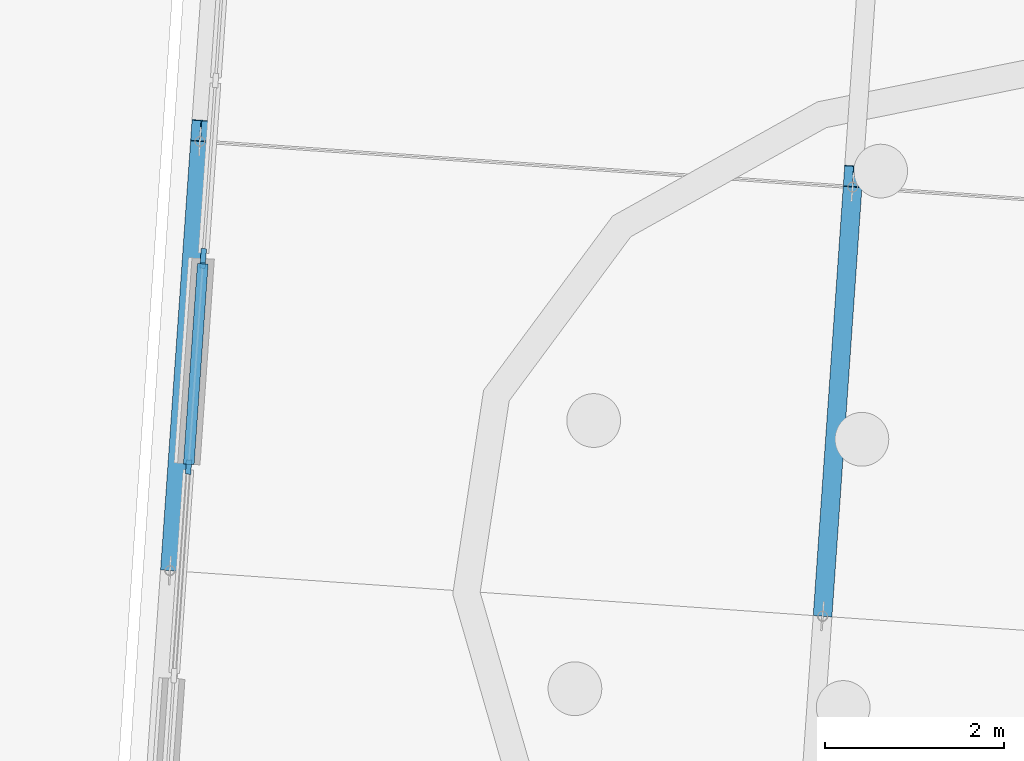
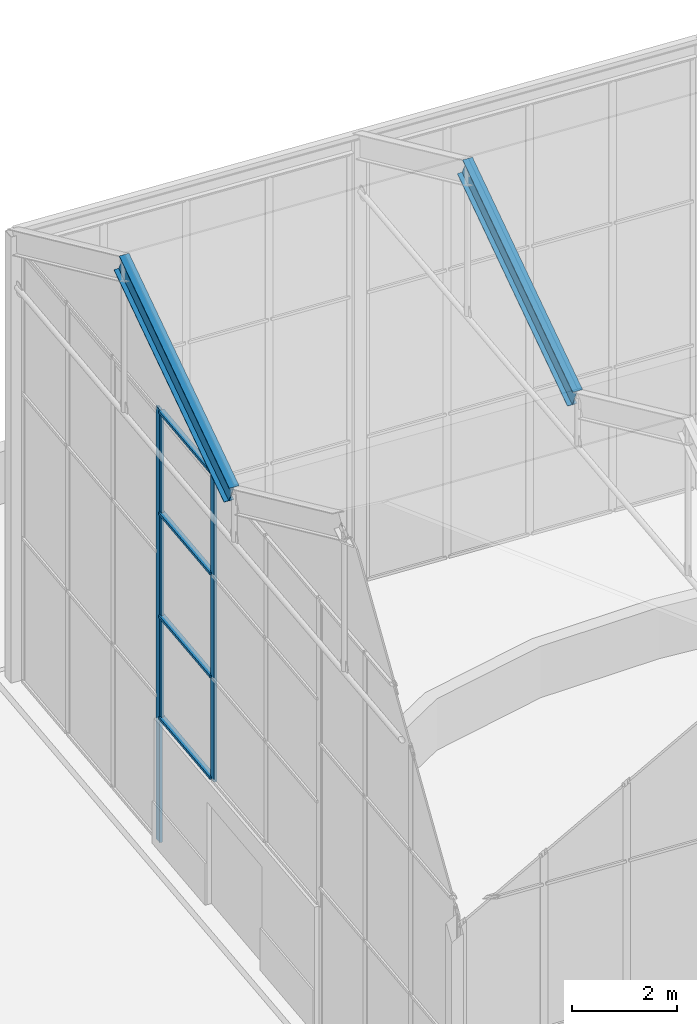
# One storey, part 57 of 157: 9 members, 2 elements without a shape of their own.
"""IFC4 building model written with IfcOpenShell, lengths in metres."""

from ifc_helpers import new_model, si_unit, direction, frame, origin, origin_2d, place, context, subcontext, project, spatial, rectangle, i_section, extrude, material, material_profile, profile_set, type_object, element, aggregate, save


model = new_model("IFC4")

# Units and contexts
model_context = context("Model", 3, precision=1e-05, world=origin(), true_north=direction((0.0, 1.0)))
body_context = subcontext(model_context, "Body", "Model", "MODEL_VIEW")
ifc_project = project(units=[si_unit("LENGTHUNIT", "METRE"), si_unit("AREAUNIT", "SQUARE_METRE"), si_unit("VOLUMEUNIT", "CUBIC_METRE"), si_unit("PLANEANGLEUNIT", "RADIAN"), si_unit("MASSUNIT", "GRAM", prefix="KILO")], contexts=[model_context])

# Site, building, storey
site_placement = place(None, origin())
site = spatial("IfcSite", under=ifc_project, at=site_placement, CompositionType="ELEMENT")
building_placement = place(site_placement, origin())
building = spatial("IfcBuilding", under=site, at=building_placement, Name="Windward Yard Aquatics Centre", CompositionType="ELEMENT")
storey_placement = place(building_placement, origin())
storey = spatial("IfcBuildingStorey", under=building, at=storey_placement, Name="L00", CompositionType="ELEMENT", Elevation=0.0)

# Curtain wall, member
ifc_material_1 = material(Name="Aluminium curtain wall system", Category="aluminium")
curtain_wall_type = type_object("IfcCurtainWallType", Name="W curtain wall 1900", PredefinedType="NOTDEFINED", material=ifc_material_1)
curtain_wall_1_placement = place(storey_placement, origin())
curtain_wall_1 = element("IfcCurtainWall", 1, at=curtain_wall_1_placement, inside=storey, type_object=curtain_wall_type, Name="Wing west glazing L00 2", PredefinedType="NOTDEFINED")
ifc_material_2 = material(Name="Aluminium mullion", Category="aluminium")
ifc_material_profile_1 = material_profile(ifc_material_2, rectangle(XDim=0.06005859375, YDim=0.159912109375, at=origin_2d()), Name="AL 60x160")
ifc_profile_set_1 = profile_set([ifc_material_profile_1], Name="Aluminium mullion")
member_type_1 = type_object("IfcMemberType", Name="W CW mullion 60x160", PredefinedType="MULLION", material=ifc_profile_set_1)
member_1_placement = place(storey_placement, frame((72.893798828125, 132.472412109375, 0.0), z_axis=(0.0, 0.0, 1.0), x_axis=(-0.997564736506, 0.069746659268, 0.0)))
member_1 = element("IfcMember", 2, at=member_1_placement, type_object=member_type_1, Name="WCW1 mullion 1", PredefinedType="MULLION", context=body_context, shape_type="SweptSolid", body=[
    extrude(rectangle(XDim=0.06005859375, YDim=0.159912109375, at=origin_2d()), origin(), (0.0, 0.0, 1.0), 10.097900390625),
])
aggregate(curtain_wall_1, [member_1])

# Curtain wall, members
curtain_wall_2_placement = place(storey_placement, origin())
curtain_wall_2 = element("IfcCurtainWall", 3, at=curtain_wall_2_placement, inside=storey, type_object=curtain_wall_type, Name="Wing west glazing L00 3", PredefinedType="NOTDEFINED")
member_2_placement = place(storey_placement, frame((72.72900390625, 130.11474609375, 2.89990234375), z_axis=(0.0, 0.0, 1.0), x_axis=(-0.997563970086, 0.069757620279, 0.0)))
member_2 = element("IfcMember", 4, at=member_2_placement, type_object=member_type_1, Name="WCW1 mullion 3", PredefinedType="MULLION", context=body_context, shape_type="SweptSolid", body=[
    extrude(rectangle(XDim=0.06005859375, YDim=0.159912109375, at=origin_2d()), origin(), (0.0, 0.0, 1.0), 7.197998046875),
])
member_3_placement = place(storey_placement, frame((72.8896484375, 132.41259765625, 2.89990234375), z_axis=(0.0, 0.0, 1.0), x_axis=(-0.997563970086, 0.069757620279, 0.0)))
member_3 = element("IfcMember", 5, at=member_3_placement, type_object=member_type_1, Name="WCW1 mullion 4", PredefinedType="MULLION", context=body_context, shape_type="SweptSolid", body=[
    extrude(rectangle(XDim=0.06005859375, YDim=0.159912109375, at=origin_2d()), origin(), (0.0, 0.0, 1.0), 7.197998046875),
])
ifc_material_3 = material(Name="Aluminium transom", Category="aluminium")
ifc_material_profile_2 = material_profile(ifc_material_3, rectangle(XDim=0.1201171875, YDim=0.06005859375, at=origin_2d()), Name="AL 120x60")
ifc_profile_set_2 = profile_set([ifc_material_profile_2], Name="Aluminium transom")
member_type_2 = type_object("IfcMemberType", Name="W CW transom 120x60", PredefinedType="USERDEFINED", material=ifc_profile_set_2)
member_4_placement = place(storey_placement, frame((72.73095703125, 130.144775390625, 2.929931640625), z_axis=(0.069761980078, 0.997563665204, 0.0), x_axis=(-0.997563665204, 0.069761980078, 0.0)))
member_4 = element("IfcMember", 6, at=member_4_placement, type_object=member_type_2, Name="WCW1 transom 3.1", ObjectType="TRANSOM", PredefinedType="USERDEFINED", context=body_context, shape_type="SweptSolid", body=[
    extrude(rectangle(XDim=0.1201171875, YDim=0.06005859375, at=origin_2d()), origin(), (0.0, 0.0, 1.0), 2.2431640625),
])
member_5_placement = place(storey_placement, frame((72.73095703125, 130.144775390625, 5.29931640625), z_axis=(0.069761980078, 0.997563665204, 0.0), x_axis=(-0.997563665204, 0.069761980078, 0.0)))
member_5 = element("IfcMember", 7, at=member_5_placement, type_object=member_type_2, Name="WCW1 transom 3.2", ObjectType="TRANSOM", PredefinedType="USERDEFINED", context=body_context, shape_type="SweptSolid", body=[
    extrude(rectangle(XDim=0.1201171875, YDim=0.06005859375, at=origin_2d()), origin(), (0.0, 0.0, 1.0), 2.2431640625),
])
member_6_placement = place(storey_placement, frame((72.73095703125, 130.144775390625, 7.69873046875), z_axis=(0.069761980078, 0.997563665204, 0.0), x_axis=(-0.997563665204, 0.069761980078, 0.0)))
member_6 = element("IfcMember", 8, at=member_6_placement, type_object=member_type_2, Name="WCW1 transom 3.3", ObjectType="TRANSOM", PredefinedType="USERDEFINED", context=body_context, shape_type="SweptSolid", body=[
    extrude(rectangle(XDim=0.1201171875, YDim=0.06005859375, at=origin_2d()), origin(), (0.0, 0.0, 1.0), 2.2431640625),
])
member_7_placement = place(storey_placement, frame((72.73095703125, 130.144775390625, 10.068115234375), z_axis=(0.069761980078, 0.997563665204, 0.0), x_axis=(-0.997563665204, 0.069761980078, 0.0)))
member_7 = element("IfcMember", 9, at=member_7_placement, type_object=member_type_2, Name="WCW1 transom 3.4", ObjectType="TRANSOM", PredefinedType="USERDEFINED", context=body_context, shape_type="SweptSolid", body=[
    extrude(rectangle(XDim=0.1201171875, YDim=0.06005859375, at=origin_2d()), origin(), (0.0, 0.0, 1.0), 2.2431640625),
])
aggregate(curtain_wall_2, [member_2, member_3, member_4, member_5, member_6, member_7])

# Members
ifc_material_4 = material(Name="Steel S355", Category="steel")
ifc_material_profile_3 = material_profile(ifc_material_4, i_section(OverallWidth=0.208984375, OverallDepth=0.532958984375, WebThickness=0.01025390625, FlangeThickness=0.015625, at=origin_2d()), Name="W530x92")
ifc_profile_set_3 = profile_set([ifc_material_profile_3], Name="Steel S355")
member_type_3 = type_object("IfcMemberType", Name="W W530x92 rafter", PredefinedType="RAFTER", material=ifc_profile_set_3)
for number, where, z_axis, x_axis, name in (
    (10, (72.529052734375, 129.078857421875, 10.26171875), (0.062416464274, 0.892255184986, 0.447196679162), (-0.997562190208, 0.069783068626, 0.0), "W.RAF.1.3"),
    (11, (79.811279296875, 128.569580078125, 10.26171875), (0.062416464274, 0.892255184986, 0.447196679162), (-0.997562190208, 0.069783068626, 0.0), "W.RAF.2.3"),
):
    element("IfcMember", number, at=place(storey_placement, frame(where, z_axis=z_axis, x_axis=x_axis)), inside=storey, type_object=member_type_3, Name=name, PredefinedType="RAFTER", context=body_context, shape_type="SweptSolid", body=[
        extrude(i_section(OverallWidth=0.208984375, OverallDepth=0.532958984375, WebThickness=0.01025390625, FlangeThickness=0.015625, at=origin_2d()), origin(), (0.0, 0.0, 1.0), 5.366455078125),
    ])

save(model, "model.ifc")
